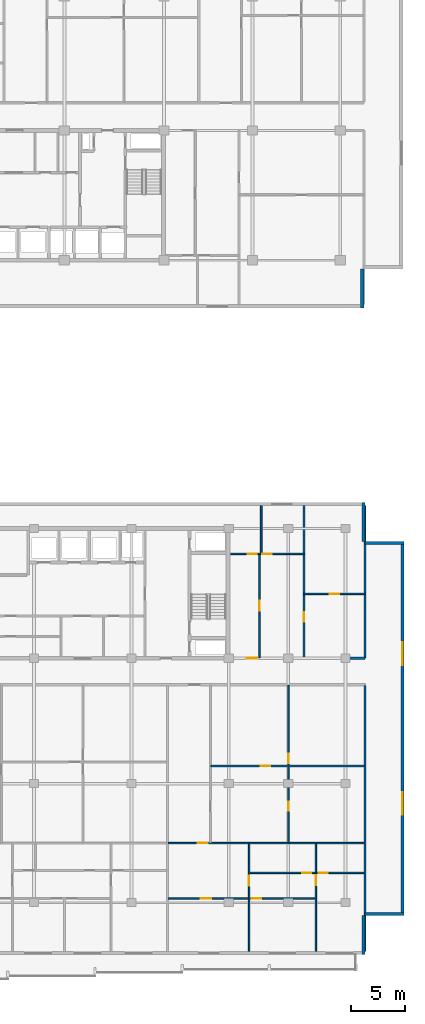
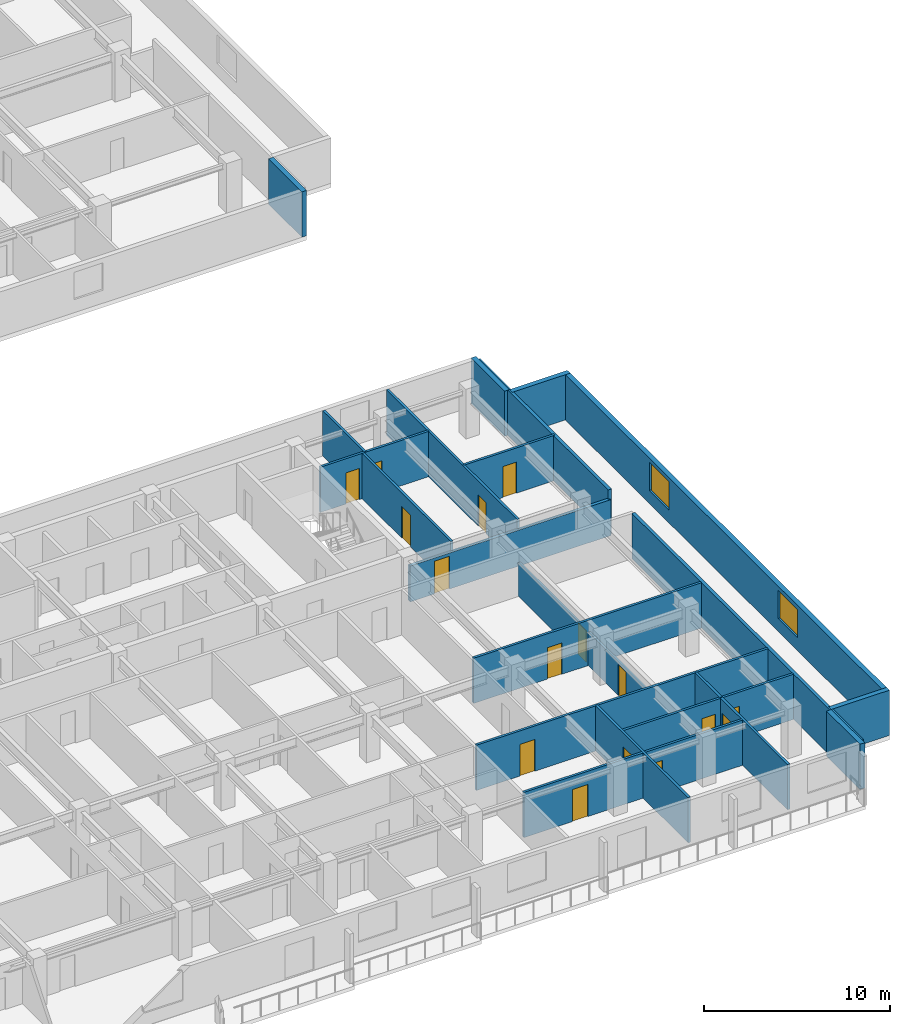
# One storey, part 9 of 21: 22 walls, 16 doors, 2 windows, 18 openings.
"""IFC4 building model written with IfcOpenShell, lengths in metres."""

from ifc_helpers import new_model, si_unit, direction, frame, frame_2d, origin, place, context, subcontext, project, spatial, rectangle, extrude, material, layer, layer_set, type_object, element, fill, save


model = new_model("IFC4")

# Units and contexts
model_context = context("Model", 3, precision=1e-05, world=origin(), true_north=direction((0.0, 1.0)))
body_context = subcontext(model_context, "Body", "Model", "MODEL_VIEW")
ifc_project = project(units=[si_unit("LENGTHUNIT", "METRE"), si_unit("AREAUNIT", "SQUARE_METRE"), si_unit("VOLUMEUNIT", "CUBIC_METRE"), si_unit("PLANEANGLEUNIT", "RADIAN"), si_unit("MASSUNIT", "GRAM", prefix="KILO")], contexts=[model_context])

# Site, building, storey
site_placement = place(None, origin())
site = spatial("IfcSite", under=ifc_project, at=site_placement, CompositionType="ELEMENT")
building_placement = place(site_placement, origin())
building = spatial("IfcBuilding", under=site, at=building_placement, Name="Korimba Cascade Residences", CompositionType="ELEMENT")
storey_placement = place(building_placement, frame((0.0, 0.0, 119.800048828125)))
storey = spatial("IfcBuildingStorey", under=building, at=storey_placement, Name="L34", CompositionType="ELEMENT", Elevation=119.800048828125)

# Walls
ifc_material_1 = material(Name="Precast concrete C40/50", Category="concrete")
ifc_layer_1 = layer(ifc_material_1, 0.300048828125)
ifc_layer_set_1 = layer_set([ifc_layer_1], Name="Precast concrete C40/50")
wall_type_1 = type_object("IfcWallType", Name="EW-STONE-300", PredefinedType="STANDARD", material=ifc_layer_set_1)
wall_1_placement = place(storey_placement, frame((130.449951171875, 50.800048828125, 0.0), z_axis=(0.0, 0.0, 1.0), x_axis=(0.0, 1.0, 0.0)))
element("IfcWall", 1, at=wall_1_placement, inside=storey, type_object=wall_type_1, Name="L34 T1 Perimeter Stone Wall E01", PredefinedType="STANDARD", context=body_context, shape_type="SweptSolid", body=[
    extrude(rectangle(XDim=3.599853515625, YDim=0.300048828125, at=frame_2d((1.7998046875, 0.0))), origin(), (0.0, 0.0, 1.0), 2.969970703125),
])
for number, where, z_axis, x_axis, name in (
    (2, (130.550048828125, -9.0, 0.0), (0.0, 0.0, 1.0), (0.0, 1.0, 0.0), "L34 T2 Perimeter Stone Wall E01"),
    (3, (130.699951171875, -5.25, 0.0), (0.0, 0.0, 1.0), (1.0, 0.0, 0.0), "L34 T2 Perimeter Stone Wall E02"),
):
    element("IfcWall", number, at=place(storey_placement, frame(where, z_axis=z_axis, x_axis=x_axis)), inside=storey, type_object=wall_type_1, Name=name, PredefinedType="STANDARD", context=body_context, shape_type="SweptSolid", body=[
        extrude(rectangle(XDim=3.60009765625, YDim=0.300048828125, at=frame_2d((1.800048828125, 0.0))), origin(), (0.0, 0.0, 1.0), 2.969970703125),
    ])

# Wall, openings, windows
wall_2_placement = place(storey_placement, frame((134.14990234375, -5.39990234375, 0.0), z_axis=(0.0, 0.0, 1.0), x_axis=(0.0, 1.0, 0.0)))
wall_2 = element("IfcWall", 4, at=wall_2_placement, inside=storey, type_object=wall_type_1, Name="L34 T2 Perimeter Stone Wall E03", PredefinedType="STANDARD", context=body_context, shape_type="SweptSolid", body=[
    extrude(rectangle(XDim=34.599853515625, YDim=0.300048828125, at=frame_2d((17.2998046875, 0.0))), origin(), (0.0, 0.0, 1.0), 2.969970703125),
])
opening_1_placement = place(wall_2_placement, frame((9.330078125, 0.0, 0.85009765625)))
opening_1 = element("IfcOpeningElement", 5, at=opening_1_placement, cuts=wall_2, Name="Opening W-03", PredefinedType="OPENING", context=body_context, shape_type="SweptSolid", body=[
    extrude(rectangle(XDim=2.10009765625, YDim=1.85009765625, at=frame_2d((1.050048828125, 0.925048828125))), frame((0.0, 0.16015625, 0.0), z_axis=(0.0, -1.0, 0.0), x_axis=(1.0, 0.0, 0.0)), (0.0, 0.0, 1.0), 0.320068359375),
])
opening_2_placement = place(wall_2_placement, frame((23.169921875, 0.0, 0.85009765625)))
opening_2 = element("IfcOpeningElement", 6, at=opening_2_placement, cuts=wall_2, Name="Opening W-03", PredefinedType="OPENING", context=body_context, shape_type="SweptSolid", body=[
    extrude(rectangle(XDim=2.10009765625, YDim=1.85009765625, at=frame_2d((1.050048828125, 0.925048828125))), frame((0.0, 0.16015625, 0.0), z_axis=(0.0, -1.0, 0.0), x_axis=(1.0, 0.0, 0.0)), (0.0, 0.0, 1.0), 0.320068359375),
])
ifc_material_2 = material(Name="Double-Glazed Aluminium Window", Category="aluminium")
window_type = type_object("IfcWindowType", Name="WIN-CRN-2100", PartitioningType="DOUBLE_PANEL_HORIZONTAL", PredefinedType="WINDOW", material=ifc_material_2)
window_1_placement = place(opening_1_placement, origin())
window_1 = element("IfcWindow", 7, at=window_1_placement, inside=storey, type_object=window_type, Name="L34 T2 End View Window 3.1", OverallHeight=1.85009765625, OverallWidth=2.10009765625, PartitioningType="DOUBLE_PANEL_HORIZONTAL", PredefinedType="WINDOW", context=body_context, shape_type="SweptSolid", body=[
    extrude(rectangle(XDim=2.10009765625, YDim=1.85009765625, at=frame_2d((1.050048828125, 0.925048828125))), frame((0.0, 0.030029296875, 0.0), z_axis=(0.0, -1.0, 0.0), x_axis=(1.0, 0.0, 0.0)), (0.0, 0.0, 1.0), 0.06005859375),
])
fill(opening_1, window_1)
window_2_placement = place(opening_2_placement, origin())
window_2 = element("IfcWindow", 8, at=window_2_placement, inside=storey, type_object=window_type, Name="L34 T2 End View Window 3.2", OverallHeight=1.85009765625, OverallWidth=2.10009765625, PartitioningType="DOUBLE_PANEL_HORIZONTAL", PredefinedType="WINDOW", context=body_context, shape_type="SweptSolid", body=[
    extrude(rectangle(XDim=2.10009765625, YDim=1.85009765625, at=frame_2d((1.050048828125, 0.925048828125))), frame((0.0, 0.030029296875, 0.0), z_axis=(0.0, -1.0, 0.0), x_axis=(1.0, 0.0, 0.0)), (0.0, 0.0, 1.0), 0.06005859375),
])
fill(opening_2, window_2)

# Walls
for number, where, z_axis, x_axis, name in (
    (9, (134.300048828125, 29.050048828125, 0.0), (0.0, 0.0, 1.0), (-1.0, 0.0, 0.0), "L34 T2 Perimeter Stone Wall E04"),
    (10, (130.550048828125, 29.199951171875, 0.0), (0.0, 0.0, 1.0), (0.0, 1.0, 0.0), "L34 T2 Perimeter Stone Wall E05"),
):
    element("IfcWall", number, at=place(storey_placement, frame(where, z_axis=z_axis, x_axis=x_axis)), inside=storey, type_object=wall_type_1, Name=name, PredefinedType="STANDARD", context=body_context, shape_type="SweptSolid", body=[
        extrude(rectangle(XDim=3.60009765625, YDim=0.300048828125, at=frame_2d((1.800048828125, 0.0))), origin(), (0.0, 0.0, 1.0), 2.969970703125),
    ])
ifc_layer_2 = layer(ifc_material_1, 0.199951171875)
ifc_layer_set_2 = layer_set([ifc_layer_2], Name="Precast concrete C40/50")
wall_type_2 = type_object("IfcWallType", Name="WAL-IT-200", PredefinedType="PARTITIONING", material=ifc_layer_set_2)
wall_3_placement = place(storey_placement, frame((130.699951171875, 18.39990234375, 0.0), z_axis=(0.0, 0.0, 1.0), x_axis=(0.0, 1.0, 0.0)))
element("IfcWall", 11, at=wall_3_placement, inside=storey, type_object=wall_type_2, Name="L34 Partition Wall WAL-L34-T2-FE-WR", PredefinedType="PARTITIONING", context=body_context, shape_type="SweptSolid", body=[
    extrude(rectangle(XDim=14.10009765625, YDim=0.199951171875, at=frame_2d((7.050048828125, 0.0))), origin(), (0.0, 0.0, 1.0), 2.969970703125),
])

# Wall, opening, door
wall_4_placement = place(storey_placement, frame((118.25, 18.39990234375, 0.0), z_axis=(0.0, 0.0, 1.0), x_axis=(1.0, 0.0, 0.0)))
wall_4 = element("IfcWall", 12, at=wall_4_placement, inside=storey, type_object=wall_type_2, Name="L34 Partition Wall WAL-L34-T2-FE-S", PredefinedType="PARTITIONING", context=body_context, shape_type="SweptSolid", body=[
    extrude(rectangle(XDim=12.449951171875, YDim=0.199951171875, at=frame_2d((6.22509765625, 0.0))), origin(), (0.0, 0.0, 1.0), 2.357666015625),
])
opening_3_placement = place(wall_4_placement, frame((1.510009765625, 0.0, 0.0)))
opening_3 = element("IfcOpeningElement", 13, at=opening_3_placement, cuts=wall_4, Name="Opening D-UN1", PredefinedType="OPENING", context=body_context, shape_type="SweptSolid", body=[
    extrude(rectangle(XDim=0.949951171875, YDim=2.14990234375, at=frame_2d((0.47509765625, 1.074951171875))), frame((0.0, 0.10986328125, 0.0), z_axis=(0.0, -1.0, 0.0), x_axis=(1.0, 0.0, 0.0)), (0.0, 0.0, 1.0), 0.219970703125),
])
ifc_material_3 = material(Name="Fire-Rated Hardwood Apartment Entrance Door", Category="wood")
door_type_1 = type_object("IfcDoorType", Name="DR-FD60-950", OperationType="NOTDEFINED", PredefinedType="DOOR", material=ifc_material_3)
door_1_placement = place(opening_3_placement, origin())
door_1 = element("IfcDoor", 14, at=door_1_placement, inside=storey, type_object=door_type_1, Name="L34-T2-FE Entrance Door", OperationType="SINGLE_SWING_LEFT", OverallHeight=2.14990234375, OverallWidth=0.949951171875, PredefinedType="DOOR", context=body_context, shape_type="SweptSolid", body=[
    extrude(rectangle(XDim=0.949951171875, YDim=2.14990234375, at=frame_2d((0.47509765625, 1.074951171875))), frame((0.0, 0.02490234375, 0.0), z_axis=(0.0, -1.0, 0.0), x_axis=(1.0, 0.0, 0.0)), (0.0, 0.0, 1.0), 0.050048828125),
])
fill(opening_3, door_1)

# Wall
wall_5_placement = place(storey_placement, frame((130.699951171875, -8.699951171875, 0.0), z_axis=(0.0, 0.0, 1.0), x_axis=(0.0, 1.0, 0.0)))
element("IfcWall", 15, at=wall_5_placement, inside=storey, type_object=wall_type_2, Name="L34 Partition Wall WAL-L34-T2-BNDWR", PredefinedType="PARTITIONING", context=body_context, shape_type="SweptSolid", body=[
    extrude(rectangle(XDim=24.570068359375, YDim=0.199951171875, at=frame_2d((12.28515625, 0.0))), origin(), (0.0, 0.0, 1.0), 2.969970703125),
])

# Wall, opening, door
ifc_material_4 = material(Name="Insulated Acoustic Stud Partition", Category="gypsum")
ifc_layer_3 = layer(ifc_material_4, 0.14990234375)
ifc_layer_set_3 = layer_set([ifc_layer_3], Name="Insulated Acoustic Stud Partition")
wall_type_3 = type_object("IfcWallType", Name="WAL-PART-150", PredefinedType="PARTITIONING", material=ifc_layer_set_3)
wall_6_placement = place(storey_placement, frame((125.050048828125, 24.35009765625, 0.0), z_axis=(0.0, 0.0, 1.0), x_axis=(1.0, 0.0, 0.0)))
wall_6 = element("IfcWall", 16, at=wall_6_placement, inside=storey, type_object=wall_type_3, Name="L34 Partition Wall WAL-L34-T2-FE-STH", PredefinedType="PARTITIONING", context=body_context, shape_type="SweptSolid", body=[
    extrude(rectangle(XDim=5.64990234375, YDim=0.14990234375, at=frame_2d((2.824951171875, 0.0))), origin(), (0.0, 0.0, 1.0), 2.969970703125),
])
opening_4_placement = place(wall_6_placement, frame((2.405029296875, 0.0, 0.0)))
opening_4 = element("IfcOpeningElement", 17, at=opening_4_placement, cuts=wall_6, Name="Opening D-BT1", PredefinedType="OPENING", context=body_context, shape_type="SweptSolid", body=[
    extrude(rectangle(XDim=0.840087890625, YDim=2.0400390625, at=frame_2d((0.419921875, 1.02001953125))), frame((0.0, 0.0849609375, 0.0), z_axis=(0.0, -1.0, 0.0), x_axis=(1.0, 0.0, 0.0)), (0.0, 0.0, 1.0), 0.169921875),
])
ifc_material_5 = material(Name="Moisture-Resistant Bathroom Timber Door", Category="wood")
door_type_2 = type_object("IfcDoorType", Name="DR-INT-850", OperationType="NOTDEFINED", PredefinedType="DOOR", material=ifc_material_5)
door_2_placement = place(opening_4_placement, origin())
door_2 = element("IfcDoor", 18, at=door_2_placement, inside=storey, type_object=door_type_2, Name="L34-T2-FE Dressing Store Door", OperationType="SINGLE_SWING_RIGHT", OverallHeight=2.0400390625, OverallWidth=0.840087890625, PredefinedType="DOOR", context=body_context, shape_type="SweptSolid", body=[
    extrude(rectangle(XDim=0.840087890625, YDim=2.0400390625, at=frame_2d((0.419921875, 1.02001953125))), frame((0.0, 0.02490234375, 0.0), z_axis=(0.0, -1.0, 0.0), x_axis=(1.0, 0.0, 0.0)), (0.0, 0.0, 1.0), 0.050048828125),
])
fill(opening_4, door_2)

wall_7_placement = place(storey_placement, frame((125.050048828125, 18.449951171875, 0.0), z_axis=(0.0, 0.0, 1.0), x_axis=(0.0, 1.0, 0.0)))
wall_7 = element("IfcWall", 19, at=wall_7_placement, inside=storey, type_object=wall_type_3, Name="L34 Partition Wall WAL-L34-T2-FE-STV", PredefinedType="PARTITIONING", context=body_context, shape_type="SweptSolid", body=[
    extrude(rectangle(XDim=14.050048828125, YDim=0.14990234375, at=frame_2d((7.02490234375, 0.0))), origin(), (0.0, 0.0, 1.0), 2.969970703125),
])
opening_5_placement = place(wall_7_placement, frame((3.320068359375, 0.0, 0.0)))
opening_5 = element("IfcOpeningElement", 20, at=opening_5_placement, cuts=wall_7, Name="Opening D-IN2", PredefinedType="OPENING", context=body_context, shape_type="SweptSolid", body=[
    extrude(rectangle(XDim=0.8798828125, YDim=2.06005859375, at=frame_2d((0.43994140625, 1.030029296875))), frame((0.0, 0.0849609375, 0.0), z_axis=(0.0, -1.0, 0.0), x_axis=(1.0, 0.0, 0.0)), (0.0, 0.0, 1.0), 0.169921875),
])
ifc_material_6 = material(Name="Acoustic Timber Bedroom Door", Category="wood")
door_type_3 = type_object("IfcDoorType", Name="DR-INT-880", OperationType="NOTDEFINED", PredefinedType="DOOR", material=ifc_material_6)
door_3_placement = place(opening_5_placement, origin())
door_3 = element("IfcDoor", 21, at=door_3_placement, inside=storey, type_object=door_type_3, Name="L34-T2-FE Study Door", OperationType="SINGLE_SWING_LEFT", OverallHeight=2.06005859375, OverallWidth=0.8798828125, PredefinedType="DOOR", context=body_context, shape_type="SweptSolid", body=[
    extrude(rectangle(XDim=0.8798828125, YDim=2.06005859375, at=frame_2d((0.43994140625, 1.030029296875))), frame((0.0, 0.02490234375, 0.0), z_axis=(0.0, -1.0, 0.0), x_axis=(1.0, 0.0, 0.0)), (0.0, 0.0, 1.0), 0.050048828125),
])
fill(opening_5, door_3)

wall_8_placement = place(storey_placement, frame((120.929931640625, 18.449951171875, 0.0), z_axis=(0.0, 0.0, 1.0), x_axis=(0.0, 1.0, 0.0)))
wall_8 = element("IfcWall", 22, at=wall_8_placement, inside=storey, type_object=wall_type_3, Name="L34 Partition Wall WAL-L34-T2-FE-VS", PredefinedType="PARTITIONING", context=body_context, shape_type="SweptSolid", body=[
    extrude(rectangle(XDim=9.60009765625, YDim=0.14990234375, at=frame_2d((4.800048828125, 0.0))), origin(), (0.0, 0.0, 1.0), 2.969970703125),
])
opening_6_placement = place(wall_8_placement, frame((4.340087890625, 0.0, 0.0)))
opening_6 = element("IfcOpeningElement", 23, at=opening_6_placement, cuts=wall_8, Name="Opening D-IN1", PredefinedType="OPENING", context=body_context, shape_type="SweptSolid", body=[
    extrude(rectangle(XDim=0.919921875, YDim=2.080078125, at=frame_2d((0.4599609375, 1.0400390625))), frame((0.0, 0.0849609375, 0.0), z_axis=(0.0, -1.0, 0.0), x_axis=(1.0, 0.0, 0.0)), (0.0, 0.0, 1.0), 0.169921875),
])
ifc_material_7 = material(Name="Acoustic Timber Living Door", Category="wood")
door_type_4 = type_object("IfcDoorType", Name="DR-INT-920", OperationType="NOTDEFINED", PredefinedType="DOOR", material=ifc_material_7)
door_4_placement = place(opening_6_placement, origin())
door_4 = element("IfcDoor", 24, at=door_4_placement, inside=storey, type_object=door_type_4, Name="L34-T2-FE Living Door", OperationType="SINGLE_SWING_RIGHT", OverallHeight=2.080078125, OverallWidth=0.919921875, PredefinedType="DOOR", context=body_context, shape_type="SweptSolid", body=[
    extrude(rectangle(XDim=0.919921875, YDim=2.080078125, at=frame_2d((0.4599609375, 1.0400390625))), frame((0.0, 0.02490234375, 0.0), z_axis=(0.0, -1.0, 0.0), x_axis=(1.0, 0.0, 0.0)), (0.0, 0.0, 1.0), 0.050048828125),
])
fill(opening_6, door_4)

# Wall
wall_9_placement = place(storey_placement, frame((121.10009765625, 28.050048828125, 0.0), z_axis=(0.0, 0.0, 1.0), x_axis=(0.0, 1.0, 0.0)))
element("IfcWall", 25, at=wall_9_placement, inside=storey, type_object=wall_type_3, Name="L34 Partition Wall WAL-L34-T2-FE-VN", PredefinedType="PARTITIONING", context=body_context, shape_type="SweptSolid", body=[
    extrude(rectangle(XDim=4.449951171875, YDim=0.14990234375, at=frame_2d((2.22509765625, 0.0))), origin(), (0.0, 0.0, 1.0), 2.969970703125),
])

# Wall, openings, doors
wall_10_placement = place(storey_placement, frame((118.27001953125, 28.050048828125, 0.0), z_axis=(0.0, 0.0, 1.0), x_axis=(1.0, 0.0, 0.0)))
wall_10 = element("IfcWall", 26, at=wall_10_placement, inside=storey, type_object=wall_type_3, Name="L34 Partition Wall WAL-L34-T2-FE-H", PredefinedType="PARTITIONING", context=body_context, shape_type="SweptSolid", body=[
    extrude(rectangle(XDim=6.760009765625, YDim=0.14990234375, at=frame_2d((3.3798828125, 0.0))), origin(), (0.0, 0.0, 1.0), 2.969970703125),
])
opening_7_placement = place(wall_10_placement, frame((1.58740234375, 0.0, 0.0)))
opening_7 = element("IfcOpeningElement", 27, at=opening_7_placement, cuts=wall_10, Name="Opening D-BT1", PredefinedType="OPENING", context=body_context, shape_type="SweptSolid", body=[
    extrude(rectangle(XDim=0.840087890625, YDim=2.0400390625, at=frame_2d((0.419921875, 1.02001953125))), frame((0.0, 0.0849609375, 0.0), z_axis=(0.0, -1.0, 0.0), x_axis=(1.0, 0.0, 0.0)), (0.0, 0.0, 1.0), 0.169921875),
])
opening_8_placement = place(wall_10_placement, frame((2.93994140625, 0.0, 0.0)))
opening_8 = element("IfcOpeningElement", 28, at=opening_8_placement, cuts=wall_10, Name="Opening D-IN2", PredefinedType="OPENING", context=body_context, shape_type="SweptSolid", body=[
    extrude(rectangle(XDim=0.8798828125, YDim=2.06005859375, at=frame_2d((0.43994140625, 1.030029296875))), frame((0.0, 0.0849609375, 0.0), z_axis=(0.0, -1.0, 0.0), x_axis=(1.0, 0.0, 0.0)), (0.0, 0.0, 1.0), 0.169921875),
])
door_5_placement = place(opening_7_placement, origin())
door_5 = element("IfcDoor", 29, at=door_5_placement, inside=storey, type_object=door_type_2, Name="L34-T2-FE Bathroom Door", OperationType="SINGLE_SWING_LEFT", OverallHeight=2.0400390625, OverallWidth=0.840087890625, PredefinedType="DOOR", context=body_context, shape_type="SweptSolid", body=[
    extrude(rectangle(XDim=0.840087890625, YDim=2.0400390625, at=frame_2d((0.419921875, 1.02001953125))), frame((0.0, 0.02490234375, 0.0), z_axis=(0.0, -1.0, 0.0), x_axis=(1.0, 0.0, 0.0)), (0.0, 0.0, 1.0), 0.050048828125),
])
fill(opening_7, door_5)
door_6_placement = place(opening_8_placement, origin())
door_6 = element("IfcDoor", 30, at=door_6_placement, inside=storey, type_object=door_type_3, Name="L34-T2-FE Bedroom Door", OperationType="SINGLE_SWING_RIGHT", OverallHeight=2.06005859375, OverallWidth=0.8798828125, PredefinedType="DOOR", context=body_context, shape_type="SweptSolid", body=[
    extrude(rectangle(XDim=0.8798828125, YDim=2.06005859375, at=frame_2d((0.43994140625, 1.030029296875))), frame((0.0, 0.02490234375, 0.0), z_axis=(0.0, -1.0, 0.0), x_axis=(1.0, 0.0, 0.0)), (0.0, 0.0, 1.0), 0.050048828125),
])
fill(opening_8, door_6)

wall_11_placement = place(storey_placement, frame((123.636474609375, 1.340087890625, 0.0), z_axis=(0.0, 0.0, 1.0), x_axis=(0.0, 1.0, 0.0)))
wall_11 = element("IfcWall", 31, at=wall_11_placement, inside=storey, type_object=wall_type_3, Name="L34 Partition Wall WAL-L34-T2-U03-FMV", PredefinedType="PARTITIONING", context=body_context, shape_type="SweptSolid", body=[
    extrude(rectangle(XDim=14.5498046875, YDim=0.14990234375, at=frame_2d((7.27490234375, 0.0))), origin(), (0.0, 0.0, 1.0), 2.2001953125),
])
opening_9_placement = place(wall_11_placement, frame((2.951416015625, 0.0, 0.0)))
opening_9 = element("IfcOpeningElement", 32, at=opening_9_placement, cuts=wall_11, Name="Opening D-BT1", PredefinedType="OPENING", context=body_context, shape_type="SweptSolid", body=[
    extrude(rectangle(XDim=0.840087890625, YDim=2.0400390625, at=frame_2d((0.419921875, 1.02001953125))), frame((0.0, 0.0849609375, 0.0), z_axis=(0.0, -1.0, 0.0), x_axis=(1.0, 0.0, 0.0)), (0.0, 0.0, 1.0), 0.169921875),
])
opening_10_placement = place(wall_11_placement, frame((7.344970703125, 0.0, 0.0)))
opening_10 = element("IfcOpeningElement", 33, at=opening_10_placement, cuts=wall_11, Name="Opening D-IN2", PredefinedType="OPENING", context=body_context, shape_type="SweptSolid", body=[
    extrude(rectangle(XDim=0.8798828125, YDim=2.06005859375, at=frame_2d((0.43994140625, 1.030029296875))), frame((0.0, 0.0849609375, 0.0), z_axis=(0.0, -1.0, 0.0), x_axis=(1.0, 0.0, 0.0)), (0.0, 0.0, 1.0), 0.169921875),
])
door_7_placement = place(opening_9_placement, origin())
door_7 = element("IfcDoor", 34, at=door_7_placement, inside=storey, type_object=door_type_2, Name="L34-T2-U03 Wardrobe Door", OperationType="SINGLE_SWING_LEFT", OverallHeight=2.0400390625, OverallWidth=0.840087890625, PredefinedType="DOOR", context=body_context, shape_type="SweptSolid", body=[
    extrude(rectangle(XDim=0.840087890625, YDim=2.0400390625, at=frame_2d((0.419921875, 1.02001953125))), frame((0.0, 0.02490234375, 0.0), z_axis=(0.0, -1.0, 0.0), x_axis=(1.0, 0.0, 0.0)), (0.0, 0.0, 1.0), 0.050048828125),
])
fill(opening_9, door_7)
door_8_placement = place(opening_10_placement, origin())
door_8 = element("IfcDoor", 35, at=door_8_placement, inside=storey, type_object=door_type_3, Name="L34-T2-U03 Music Lounge Door", OperationType="SINGLE_SWING_RIGHT", OverallHeight=2.06005859375, OverallWidth=0.8798828125, PredefinedType="DOOR", context=body_context, shape_type="SweptSolid", body=[
    extrude(rectangle(XDim=0.8798828125, YDim=2.06005859375, at=frame_2d((0.43994140625, 1.030029296875))), frame((0.0, 0.02490234375, 0.0), z_axis=(0.0, -1.0, 0.0), x_axis=(1.0, 0.0, 0.0)), (0.0, 0.0, 1.0), 0.050048828125),
])
fill(opening_10, door_8)

# Wall, opening, door
wall_12_placement = place(storey_placement, frame((116.45263671875, 8.43505859375, 0.0), z_axis=(0.0, 0.0, 1.0), x_axis=(1.0, 0.0, 0.0)))
wall_12 = element("IfcWall", 36, at=wall_12_placement, inside=storey, type_object=wall_type_3, Name="L34 Partition Wall WAL-L34-T2-U03-FMH", PredefinedType="PARTITIONING", context=body_context, shape_type="SweptSolid", body=[
    extrude(rectangle(XDim=14.16748046875, YDim=0.14990234375, at=frame_2d((7.083740234375, 0.0))), origin(), (0.0, 0.0, 1.0), 2.969970703125),
])
opening_11_placement = place(wall_12_placement, frame((4.593017578125, 0.0, 0.0)))
opening_11 = element("IfcOpeningElement", 37, at=opening_11_placement, cuts=wall_12, Name="Opening D-IN2", PredefinedType="OPENING", context=body_context, shape_type="SweptSolid", body=[
    extrude(rectangle(XDim=0.8798828125, YDim=2.06005859375, at=frame_2d((0.43994140625, 1.030029296875))), frame((0.0, 0.0849609375, 0.0), z_axis=(0.0, -1.0, 0.0), x_axis=(1.0, 0.0, 0.0)), (0.0, 0.0, 1.0), 0.169921875),
])
door_9_placement = place(opening_11_placement, origin())
door_9 = element("IfcDoor", 38, at=door_9_placement, inside=storey, type_object=door_type_3, Name="L34-T2-U03 Library Salon Door", OperationType="SINGLE_SWING_LEFT", OverallHeight=2.06005859375, OverallWidth=0.8798828125, PredefinedType="DOOR", context=body_context, shape_type="SweptSolid", body=[
    extrude(rectangle(XDim=0.8798828125, YDim=2.06005859375, at=frame_2d((0.43994140625, 1.030029296875))), frame((0.0, 0.02490234375, 0.0), z_axis=(0.0, -1.0, 0.0), x_axis=(1.0, 0.0, 0.0)), (0.0, 0.0, 1.0), 0.050048828125),
])
fill(opening_11, door_9)

wall_13_placement = place(storey_placement, frame((119.97998046875, -8.699951171875, 0.0), z_axis=(0.0, 0.0, 1.0), x_axis=(0.0, 1.0, 0.0)))
wall_13 = element("IfcWall", 39, at=wall_13_placement, inside=storey, type_object=wall_type_3, Name="L34 Partition Wall WAL-L34-T2-U03-V1", PredefinedType="PARTITIONING", context=body_context, shape_type="SweptSolid", body=[
    extrude(rectangle(XDim=9.9599609375, YDim=0.14990234375, at=frame_2d((4.97998046875, 0.0))), origin(), (0.0, 0.0, 1.0), 2.969970703125),
])
opening_12_placement = place(wall_13_placement, frame((6.050048828125, 0.0, 0.0)))
opening_12 = element("IfcOpeningElement", 40, at=opening_12_placement, cuts=wall_13, Name="Opening D-IN1", PredefinedType="OPENING", context=body_context, shape_type="SweptSolid", body=[
    extrude(rectangle(XDim=0.919921875, YDim=2.080078125, at=frame_2d((0.4599609375, 1.0400390625))), frame((0.0, 0.0849609375, 0.0), z_axis=(0.0, -1.0, 0.0), x_axis=(1.0, 0.0, 0.0)), (0.0, 0.0, 1.0), 0.169921875),
])
door_10_placement = place(opening_12_placement, origin())
door_10 = element("IfcDoor", 41, at=door_10_placement, inside=storey, type_object=door_type_4, Name="L34-T2-U03 Hallway Door", OperationType="SINGLE_SWING_LEFT", OverallHeight=2.080078125, OverallWidth=0.919921875, PredefinedType="DOOR", context=body_context, shape_type="SweptSolid", body=[
    extrude(rectangle(XDim=0.919921875, YDim=2.080078125, at=frame_2d((0.4599609375, 1.0400390625))), frame((0.0, 0.02490234375, 0.0), z_axis=(0.0, -1.0, 0.0), x_axis=(1.0, 0.0, 0.0)), (0.0, 0.0, 1.0), 0.050048828125),
])
fill(opening_12, door_10)

# Wall
wall_14_placement = place(storey_placement, frame((126.14990234375, -1.429931640625, 0.0), z_axis=(0.0, 0.0, 1.0), x_axis=(0.0, 1.0, 0.0)))
element("IfcWall", 42, at=wall_14_placement, inside=storey, type_object=wall_type_3, Name="L34 Partition Wall WAL-L34-T2-U03-VBATH", PredefinedType="PARTITIONING", context=body_context, shape_type="SweptSolid", body=[
    extrude(rectangle(XDim=2.68994140625, YDim=0.14990234375, at=frame_2d((1.344970703125, 0.0))), origin(), (0.0, 0.0, 1.0), 2.969970703125),
])

# Wall, opening, door
wall_15_placement = place(storey_placement, frame((126.14990234375, -8.699951171875, 0.0), z_axis=(0.0, 0.0, 1.0), x_axis=(0.0, 1.0, 0.0)))
wall_15 = element("IfcWall", 43, at=wall_15_placement, inside=storey, type_object=wall_type_3, Name="L34 Partition Wall WAL-L34-T2-U03-V2FULL", PredefinedType="PARTITIONING", context=body_context, shape_type="SweptSolid", body=[
    extrude(rectangle(XDim=7.22998046875, YDim=0.14990234375, at=frame_2d((3.614990234375, 0.0))), origin(), (0.0, 0.0, 1.0), 2.969970703125),
])
opening_13_placement = place(wall_15_placement, frame((6.110107421875, 0.0, 0.0)))
opening_13 = element("IfcOpeningElement", 44, at=opening_13_placement, cuts=wall_15, Name="Opening D-IN1", PredefinedType="OPENING", context=body_context, shape_type="SweptSolid", body=[
    extrude(rectangle(XDim=0.919921875, YDim=2.080078125, at=frame_2d((0.4599609375, 1.0400390625))), frame((0.0, 0.0849609375, 0.0), z_axis=(0.0, -1.0, 0.0), x_axis=(1.0, 0.0, 0.0)), (0.0, 0.0, 1.0), 0.169921875),
])
door_11_placement = place(opening_13_placement, origin())
door_11 = element("IfcDoor", 45, at=door_11_placement, inside=storey, type_object=door_type_4, Name="L34-T2-U03 Master Bedroom Door", OperationType="SINGLE_SWING_RIGHT", OverallHeight=2.080078125, OverallWidth=0.919921875, PredefinedType="DOOR", context=body_context, shape_type="SweptSolid", body=[
    extrude(rectangle(XDim=0.919921875, YDim=2.080078125, at=frame_2d((0.4599609375, 1.0400390625))), frame((0.0, 0.02490234375, 0.0), z_axis=(0.0, -1.0, 0.0), x_axis=(1.0, 0.0, 0.0)), (0.0, 0.0, 1.0), 0.050048828125),
])
fill(opening_13, door_11)

# Wall, openings, doors
wall_16_placement = place(storey_placement, frame((120.02001953125, -1.449951171875, 0.0), z_axis=(0.0, 0.0, 1.0), x_axis=(1.0, 0.0, 0.0)))
wall_16 = element("IfcWall", 46, at=wall_16_placement, inside=storey, type_object=wall_type_3, Name="L34 Partition Wall WAL-L34-T2-U03-HWALL", PredefinedType="PARTITIONING", context=body_context, shape_type="SweptSolid", body=[
    extrude(rectangle(XDim=10.60009765625, YDim=0.14990234375, at=frame_2d((5.300048828125, 0.0))), origin(), (0.0, 0.0, 1.0), 2.969970703125),
])
opening_14_placement = place(wall_16_placement, frame((4.8798828125, 0.0, 0.0)))
opening_14 = element("IfcOpeningElement", 47, at=opening_14_placement, cuts=wall_16, Name="Opening D-BT1", PredefinedType="OPENING", context=body_context, shape_type="SweptSolid", body=[
    extrude(rectangle(XDim=0.840087890625, YDim=2.0400390625, at=frame_2d((0.419921875, 1.02001953125))), frame((0.0, 0.0849609375, 0.0), z_axis=(0.0, -1.0, 0.0), x_axis=(1.0, 0.0, 0.0)), (0.0, 0.0, 1.0), 0.169921875),
])
opening_15_placement = place(wall_16_placement, frame((6.3798828125, 0.0, 0.0)))
opening_15 = element("IfcOpeningElement", 48, at=opening_15_placement, cuts=wall_16, Name="Opening D-BT1", PredefinedType="OPENING", context=body_context, shape_type="SweptSolid", body=[
    extrude(rectangle(XDim=0.840087890625, YDim=2.0400390625, at=frame_2d((0.419921875, 1.02001953125))), frame((0.0, 0.0849609375, 0.0), z_axis=(0.0, -1.0, 0.0), x_axis=(1.0, 0.0, 0.0)), (0.0, 0.0, 1.0), 0.169921875),
])
door_12_placement = place(opening_14_placement, origin())
door_12 = element("IfcDoor", 49, at=door_12_placement, inside=storey, type_object=door_type_2, Name="L34-T2-U03 Family Bathroom Door", OperationType="SINGLE_SWING_LEFT", OverallHeight=2.0400390625, OverallWidth=0.840087890625, PredefinedType="DOOR", context=body_context, shape_type="SweptSolid", body=[
    extrude(rectangle(XDim=0.840087890625, YDim=2.0400390625, at=frame_2d((0.419921875, 1.02001953125))), frame((0.0, 0.02490234375, 0.0), z_axis=(0.0, -1.0, 0.0), x_axis=(1.0, 0.0, 0.0)), (0.0, 0.0, 1.0), 0.050048828125),
])
fill(opening_14, door_12)
door_13_placement = place(opening_15_placement, origin())
door_13 = element("IfcDoor", 50, at=door_13_placement, inside=storey, type_object=door_type_2, Name="L34-T2-U03 En-Suite Door", OperationType="SINGLE_SWING_RIGHT", OverallHeight=2.0400390625, OverallWidth=0.840087890625, PredefinedType="DOOR", context=body_context, shape_type="SweptSolid", body=[
    extrude(rectangle(XDim=0.840087890625, YDim=2.0400390625, at=frame_2d((0.419921875, 1.02001953125))), frame((0.0, 0.02490234375, 0.0), z_axis=(0.0, -1.0, 0.0), x_axis=(1.0, 0.0, 0.0)), (0.0, 0.0, 1.0), 0.050048828125),
])
fill(opening_15, door_13)

# Wall, opening, door
wall_17_placement = place(storey_placement, frame((112.502685546875, 1.300048828125, 0.0), z_axis=(0.0, 0.0, 1.0), x_axis=(1.0, 0.0, 0.0)))
wall_17 = element("IfcWall", 51, at=wall_17_placement, inside=storey, type_object=wall_type_3, Name="L34 Partition Wall WAL-L34-T2-U03-MW", PredefinedType="PARTITIONING", context=body_context, shape_type="SweptSolid", body=[
    extrude(rectangle(XDim=18.117431640625, YDim=0.14990234375, at=frame_2d((9.05859375, 0.0))), origin(), (0.0, 0.0, 1.0), 2.969970703125),
])
opening_16_placement = place(wall_17_placement, frame((2.719970703125, 0.0, 0.0)))
opening_16 = element("IfcOpeningElement", 52, at=opening_16_placement, cuts=wall_17, Name="Opening D-IN1", PredefinedType="OPENING", context=body_context, shape_type="SweptSolid", body=[
    extrude(rectangle(XDim=0.919921875, YDim=2.080078125, at=frame_2d((0.4599609375, 1.0400390625))), frame((0.0, 0.0849609375, 0.0), z_axis=(0.0, -1.0, 0.0), x_axis=(1.0, 0.0, 0.0)), (0.0, 0.0, 1.0), 0.169921875),
])
door_14_placement = place(opening_16_placement, origin())
door_14 = element("IfcDoor", 53, at=door_14_placement, inside=storey, type_object=door_type_4, Name="L34-T2-U03 Kitchen Door", OperationType="SINGLE_SWING_LEFT", OverallHeight=2.080078125, OverallWidth=0.919921875, PredefinedType="DOOR", context=body_context, shape_type="SweptSolid", body=[
    extrude(rectangle(XDim=0.919921875, YDim=2.080078125, at=frame_2d((0.4599609375, 1.0400390625))), frame((0.0, 0.02490234375, 0.0), z_axis=(0.0, -1.0, 0.0), x_axis=(1.0, 0.0, 0.0)), (0.0, 0.0, 1.0), 0.050048828125),
])
fill(opening_16, door_14)

# Wall, openings, doors
wall_18_placement = place(storey_placement, frame((112.502685546875, -3.800048828125, 0.0), z_axis=(0.0, 0.0, 1.0), x_axis=(1.0, 0.0, 0.0)))
wall_18 = element("IfcWall", 54, at=wall_18_placement, inside=storey, type_object=wall_type_3, Name="L34 Partition Wall WAL-L34-T2-U03-HZ", PredefinedType="PARTITIONING", context=body_context, shape_type="SweptSolid", body=[
    extrude(rectangle(XDim=13.647216796875, YDim=0.14990234375, at=frame_2d((6.82373046875, 0.0))), origin(), (0.0, 0.0, 1.0), 2.969970703125),
])
opening_17_placement = place(wall_18_placement, frame((3.027099609375, 0.0, 0.0)))
opening_17 = element("IfcOpeningElement", 55, at=opening_17_placement, cuts=wall_18, Name="Opening D-IN0", PredefinedType="OPENING", context=body_context, shape_type="SweptSolid", body=[
    extrude(rectangle(XDim=0.93994140625, YDim=2.10009765625, at=frame_2d((0.469970703125, 1.050048828125))), frame((0.0, 0.0849609375, 0.0), z_axis=(0.0, -1.0, 0.0), x_axis=(1.0, 0.0, 0.0)), (0.0, 0.0, 1.0), 0.169921875),
])
opening_18_placement = place(wall_18_placement, frame((7.727294921875, 0.0, 0.0)))
opening_18 = element("IfcOpeningElement", 56, at=opening_18_placement, cuts=wall_18, Name="Opening D-IN2", PredefinedType="OPENING", context=body_context, shape_type="SweptSolid", body=[
    extrude(rectangle(XDim=0.8798828125, YDim=2.06005859375, at=frame_2d((0.43994140625, 1.030029296875))), frame((0.0, 0.0849609375, 0.0), z_axis=(0.0, -1.0, 0.0), x_axis=(1.0, 0.0, 0.0)), (0.0, 0.0, 1.0), 0.169921875),
])
door_15_placement = place(opening_18_placement, origin())
door_15 = element("IfcDoor", 57, at=door_15_placement, inside=storey, type_object=door_type_3, Name="L34-T2-U03 Bedroom 2 Door", OperationType="SINGLE_SWING_LEFT", OverallHeight=2.06005859375, OverallWidth=0.8798828125, PredefinedType="DOOR", context=body_context, shape_type="SweptSolid", body=[
    extrude(rectangle(XDim=0.8798828125, YDim=2.06005859375, at=frame_2d((0.43994140625, 1.030029296875))), frame((0.0, 0.02490234375, 0.0), z_axis=(0.0, -1.0, 0.0), x_axis=(1.0, 0.0, 0.0)), (0.0, 0.0, 1.0), 0.050048828125),
])
fill(opening_18, door_15)
ifc_material_8 = material(Name="Acoustic Timber Living Archway Door", Category="wood")
door_type_5 = type_object("IfcDoorType", Name="DR-INT-950", OperationType="NOTDEFINED", PredefinedType="DOOR", material=ifc_material_8)
door_16_placement = place(opening_17_placement, origin())
door_16 = element("IfcDoor", 58, at=door_16_placement, inside=storey, type_object=door_type_5, Name="L34-T2-U03 Living Room Door", OperationType="SINGLE_SWING_RIGHT", OverallHeight=2.10009765625, OverallWidth=0.93994140625, PredefinedType="DOOR", context=body_context, shape_type="SweptSolid", body=[
    extrude(rectangle(XDim=0.93994140625, YDim=2.10009765625, at=frame_2d((0.469970703125, 1.050048828125))), frame((0.0, 0.02490234375, 0.0), z_axis=(0.0, -1.0, 0.0), x_axis=(1.0, 0.0, 0.0)), (0.0, 0.0, 1.0), 0.050048828125),
])
fill(opening_17, door_16)

save(model, "model.ifc")
